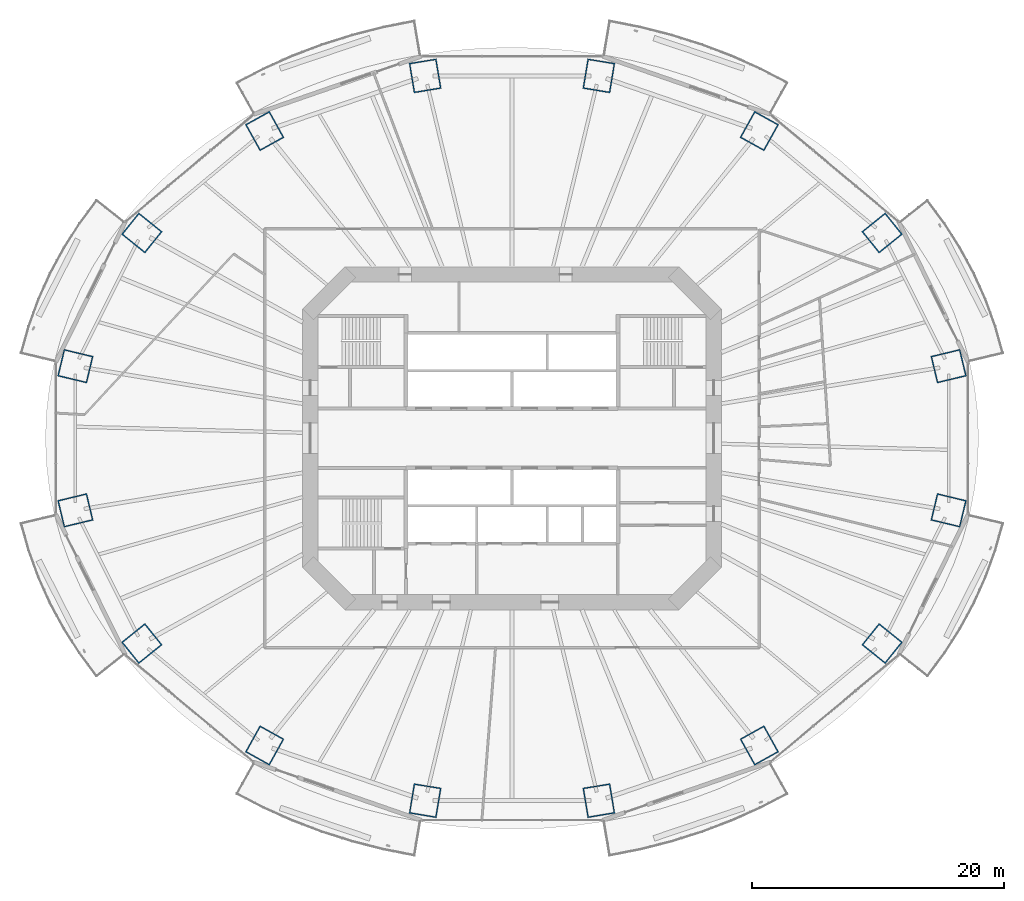
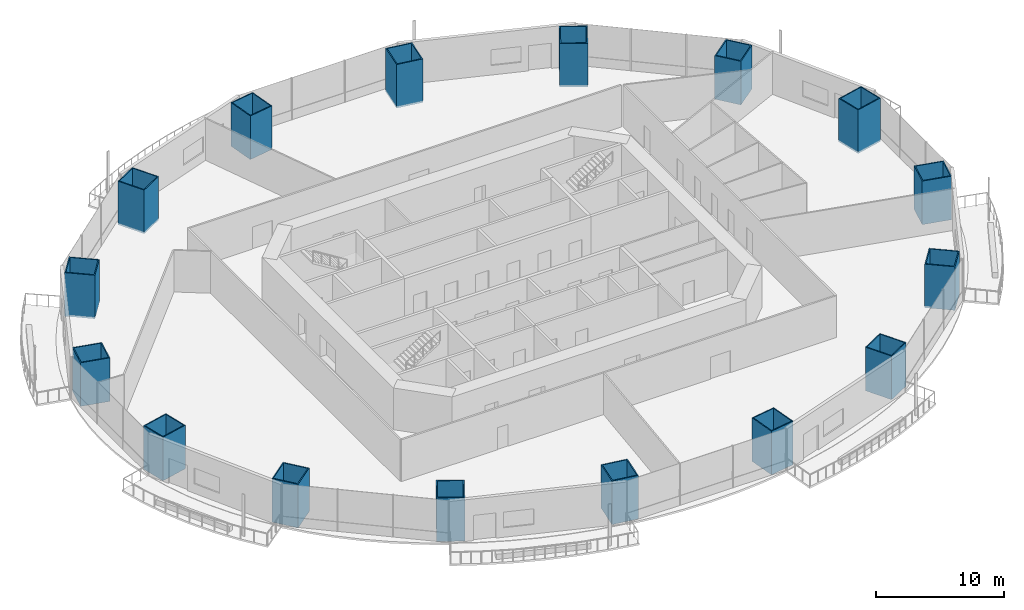
# One storey, part 1 of 23: 16 columns.
"""IFC4 building model written with IfcOpenShell, lengths in metres."""

from ifc_helpers import new_model, si_unit, direction, frame, origin, origin_2d, place, context, subcontext, project, spatial, rectangle, hollow_rectangle, extrude, material, material_profile, profile_set, type_object, element, save


model = new_model("IFC4")

# Units and contexts
model_context = context("Model", 3, precision=1e-05, world=origin(), true_north=direction((0.0, 1.0)))
body_context = subcontext(model_context, "Body", "Model", "MODEL_VIEW")
ifc_project = project(units=[si_unit("LENGTHUNIT", "METRE"), si_unit("AREAUNIT", "SQUARE_METRE"), si_unit("VOLUMEUNIT", "CUBIC_METRE"), si_unit("PLANEANGLEUNIT", "RADIAN"), si_unit("MASSUNIT", "GRAM", prefix="KILO")], contexts=[model_context])

# Site, building, storey
site_placement = place(None, origin())
site = spatial("IfcSite", under=ifc_project, at=site_placement, CompositionType="ELEMENT")
building_placement = place(site_placement, origin())
building = spatial("IfcBuilding", under=site, at=building_placement, Name="Marenthal Gate Tower", CompositionType="ELEMENT")
storey_placement = place(building_placement, frame((0.0, 0.0, 37.14990234375)))
storey = spatial("IfcBuildingStorey", under=building, at=storey_placement, Name="L05", CompositionType="ELEMENT", Elevation=37.14990234375)

# Columns
ifc_material_1 = material(Name="Steel S460", Category="steel")
ifc_material_profile_1 = material_profile(ifc_material_1, hollow_rectangle(XDim=2.199951171875, YDim=2.39990234375, WallThickness=0.090087890625, at=origin_2d()), Name="CFT BOX 2400X2200X90")
ifc_material_2 = material(Name="Concrete 70 MPa", Category="concrete")
ifc_material_profile_2 = material_profile(ifc_material_2, rectangle(XDim=2.02001953125, YDim=2.219970703125, at=origin_2d()), Name="CFT BOX 2400X2200X90 INFILL")
ifc_profile_set = profile_set([ifc_material_profile_1, ifc_material_profile_2], Name="Steel S460 shell, Concrete 70 MPa infill")
column_type = type_object("IfcColumnType", Name="CFT BOX 2400X2200X90", PredefinedType="COLUMN", material=ifc_profile_set)
for number, where, z_axis, x_axis, name in (
    (1, (34.62158203125, 5.716064453125, -0.179931640625), (0.0, 0.0, 1.0), (0.2330465244, -0.972465586777, 0.0), "COL-L05-01"),
    (2, (29.350830078125, 16.2783203125, -0.179931640625), (0.0, 0.0, 1.0), (0.627070248118, -0.778962710228, 0.0), "COL-L05-02"),
    (3, (19.611572265625, 24.362060546875, -0.179931640625), (0.0, 0.0, 1.0), (0.874508838314, -0.485009578989, 0.0), "COL-L05-03"),
    (4, (6.88671875, 28.737060546875, -0.179931640625), (0.0, 0.0, 1.0), (0.986643047777, -0.162897195412, 0.0), "COL-L05-04"),
    (5, (-6.88671875, 28.737060546875, -0.179931640625), (0.0, 0.0, 1.0), (0.986643047777, 0.162897195412, 0.0), "COL-L05-05"),
    (6, (-19.611572265625, 24.362060546875, -0.179931640625), (0.0, 0.0, 1.0), (0.874508838314, 0.485009578989, 0.0), "COL-L05-06"),
    (7, (-29.350830078125, 16.2783203125, -0.179931640625), (0.0, 0.0, 1.0), (0.627070248118, 0.778962710228, 0.0), "COL-L05-07"),
    (8, (-34.62158203125, 5.716064453125, -0.179931640625), (0.0, 0.0, 1.0), (0.2330465244, 0.972465586777, 0.0), "COL-L05-08"),
    (9, (-34.62158203125, -5.716064453125, -0.179931640625), (0.0, 0.0, 1.0), (-0.2330465244, 0.972465586777, 0.0), "COL-L05-09"),
    (10, (-29.350830078125, -16.2783203125, -0.179931640625), (0.0, 0.0, 1.0), (-0.627070248118, 0.778962710228, 0.0), "COL-L05-10"),
    (11, (-19.611572265625, -24.362060546875, -0.179931640625), (0.0, 0.0, 1.0), (-0.874508838314, 0.485009578989, 0.0), "COL-L05-11"),
    (12, (-6.88671875, -28.737060546875, -0.179931640625), (0.0, 0.0, 1.0), (-0.986643047777, 0.162897195412, 0.0), "COL-L05-12"),
    (13, (6.88671875, -28.737060546875, -0.179931640625), (0.0, 0.0, 1.0), (-0.986643047777, -0.162897195412, 0.0), "COL-L05-13"),
    (14, (19.611572265625, -24.362060546875, -0.179931640625), (0.0, 0.0, 1.0), (-0.874508838314, -0.485009578989, 0.0), "COL-L05-14"),
    (15, (29.350830078125, -16.2783203125, -0.179931640625), (0.0, 0.0, 1.0), (-0.627070248118, -0.778962710228, 0.0), "COL-L05-15"),
    (16, (34.62158203125, -5.716064453125, -0.179931640625), (0.0, 0.0, 1.0), (-0.2330465244, -0.972465586777, 0.0), "COL-L05-16"),
):
    element("IfcColumn", number, at=place(storey_placement, frame(where, z_axis=z_axis, x_axis=x_axis)), inside=storey, type_object=column_type, Name=name, PredefinedType="COLUMN", context=body_context, shape_type="SweptSolid", body=[
        extrude(hollow_rectangle(XDim=2.199951171875, YDim=2.39990234375, WallThickness=0.090087890625, at=origin_2d()), origin(), (0.0, 0.0, 1.0), 4.150146484375),
    ])

save(model, "model.ifc")
